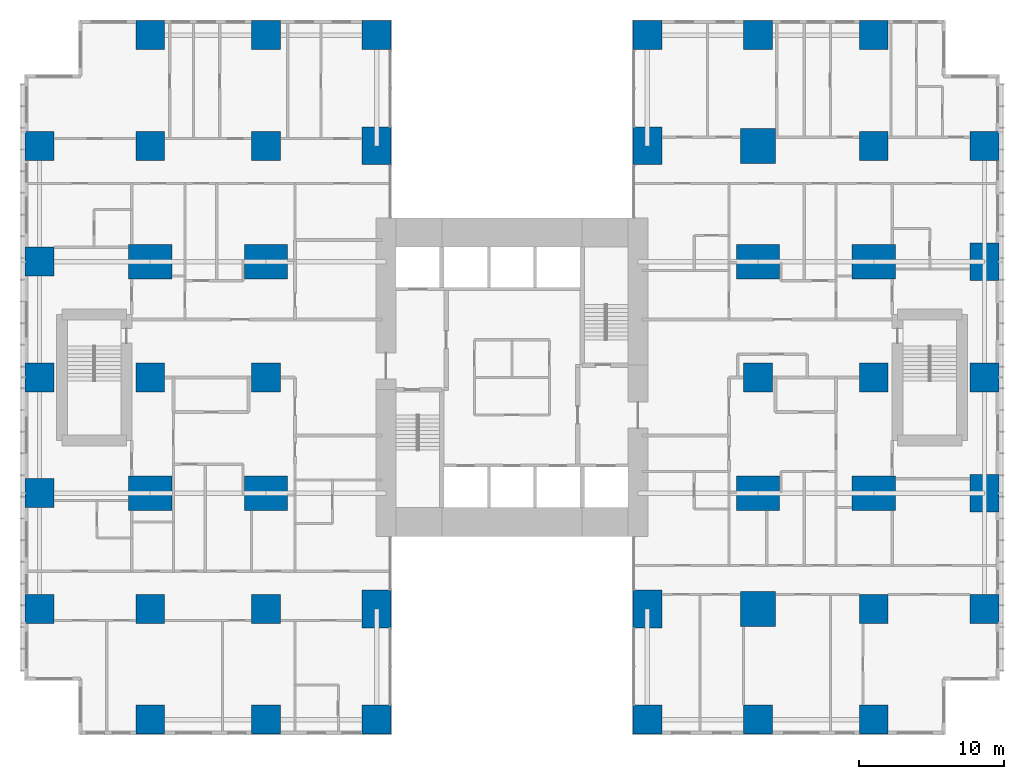
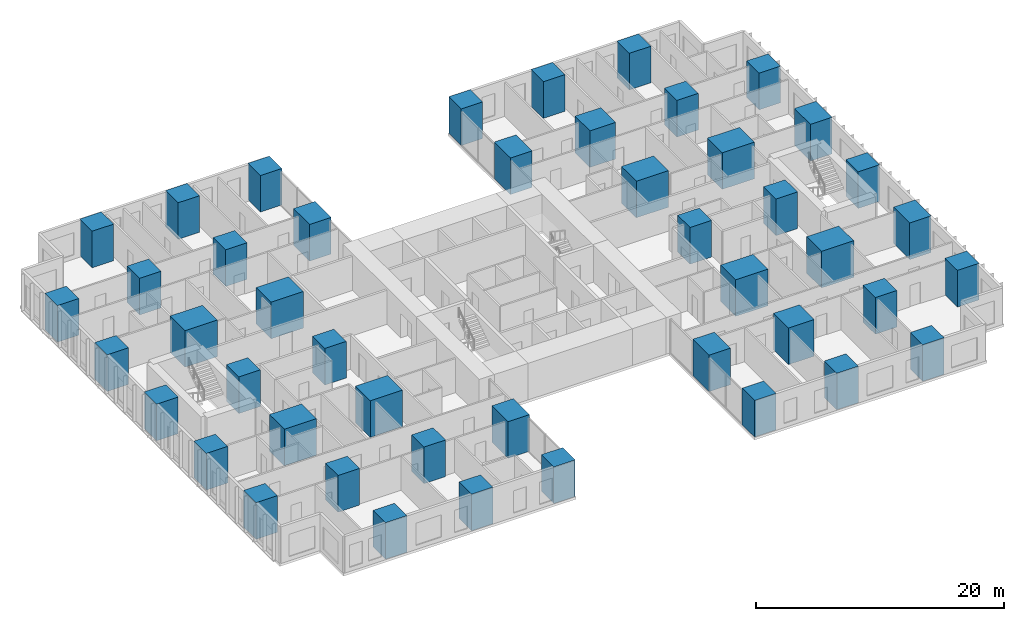
# One storey, part 1 of 20: 46 columns.
"""IFC4 building model written with IfcOpenShell, lengths in metres."""

from ifc_helpers import new_model, si_unit, direction, frame, origin, origin_2d, place, context, subcontext, project, spatial, rectangle, extrude, material, material_profile, profile_set, type_object, element, save


model = new_model("IFC4")

# Units and contexts
model_context = context("Model", 3, precision=1e-05, world=origin(), true_north=direction((0.0, 1.0)))
body_context = subcontext(model_context, "Body", "Model", "MODEL_VIEW")
ifc_project = project(units=[si_unit("LENGTHUNIT", "METRE"), si_unit("AREAUNIT", "SQUARE_METRE"), si_unit("VOLUMEUNIT", "CUBIC_METRE"), si_unit("PLANEANGLEUNIT", "RADIAN"), si_unit("MASSUNIT", "GRAM", prefix="KILO")], contexts=[model_context])

# Site, building, storey
site_placement = place(None, origin())
site = spatial("IfcSite", under=ifc_project, at=site_placement, CompositionType="ELEMENT")
building_placement = place(site_placement, origin())
building = spatial("IfcBuilding", under=site, at=building_placement, Name="Cleftline Residences", CompositionType="ELEMENT")
storey_placement = place(building_placement, frame((0.0, 0.0, 164.60009765625)))
storey = spatial("IfcBuildingStorey", under=building, at=storey_placement, Name="L43", CompositionType="ELEMENT", Elevation=164.60009765625)

# Columns
ifc_material_1 = material(Name="Concrete B70", Category="concrete")
ifc_material_profile_1 = material_profile(ifc_material_1, rectangle(XDim=2.0, YDim=2.0, at=origin_2d()))
ifc_profile_set_1 = profile_set([ifc_material_profile_1], Name="Concrete B70")
column_type_1 = type_object("IfcColumnType", Name="COLUMN RC2000X2000", PredefinedType="COLUMN", material=ifc_profile_set_1)
for number, where, z_axis, x_axis, name in (
    (1, (0.35009765625, 8.0, 0.0), (0.0, 0.0, 1.0), (1.0, 0.0, 0.0), "Column D/3"),
    (2, (0.35009765625, 16.0, 0.0), (0.0, 0.0, 1.0), (1.0, 0.0, 0.0), "Column E/3"),
    (3, (0.35009765625, 24.0, 0.0), (0.0, 0.0, 1.0), (1.0, 0.0, 0.0), "Column F/3"),
    (4, (0.35009765625, 32.0, 0.0), (0.0, 0.0, 1.0), (1.0, 0.0, 0.0), "Column G/3"),
    (5, (0.35009765625, 40.0, 0.0), (0.0, 0.0, 1.0), (1.0, 0.0, 0.0), "Column H/3"),
    (6, (8.0, 0.35009765625, 0.0), (0.0, 0.0, 1.0), (1.0, 0.0, 0.0), "Column C/4"),
    (7, (8.0, 8.0, 0.0), (0.0, 0.0, 1.0), (1.0, 0.0, 0.0), "Column D/4"),
    (8, (8.0, 24.0, 0.0), (0.0, 0.0, 1.0), (1.0, 0.0, 0.0), "Column F/4"),
    (9, (8.0, 40.0, 0.0), (0.0, 0.0, 1.0), (1.0, 0.0, 0.0), "Column H/4"),
    (10, (8.0, 47.64990234375, 0.0), (0.0, 0.0, 1.0), (1.0, 0.0, 0.0), "Column J/4"),
    (11, (16.0, 0.35009765625, 0.0), (0.0, 0.0, 1.0), (1.0, 0.0, 0.0), "Column C/5"),
    (12, (16.0, 8.0, 0.0), (0.0, 0.0, 1.0), (1.0, 0.0, 0.0), "Column D/5"),
    (13, (16.0, 24.0, 0.0), (0.0, 0.0, 1.0), (1.0, 0.0, 0.0), "Column F/5"),
    (14, (16.0, 40.0, 0.0), (0.0, 0.0, 1.0), (1.0, 0.0, 0.0), "Column H/5"),
    (15, (16.0, 47.64990234375, 0.0), (0.0, 0.0, 1.0), (1.0, 0.0, 0.0), "Column J/5"),
    (16, (23.64990234375, 0.35009765625, 0.0), (0.0, 0.0, 1.0), (1.0, 0.0, 0.0), "Column C/6"),
    (17, (23.64990234375, 47.64990234375, 0.0), (0.0, 0.0, 1.0), (1.0, 0.0, 0.0), "Column J/6"),
    (18, (42.35009765625, 0.35009765625, 0.0), (0.0, 0.0, 1.0), (1.0, 0.0, 0.0), "Column C/8"),
    (19, (42.35009765625, 47.64990234375, 0.0), (0.0, 0.0, 1.0), (1.0, 0.0, 0.0), "Column J/8"),
    (20, (50.0, 0.35009765625, 0.0), (0.0, 0.0, 1.0), (1.0, 0.0, 0.0), "Column C/9"),
    (21, (50.0, 24.0, 0.0), (0.0, 0.0, 1.0), (1.0, 0.0, 0.0), "Column F/9"),
    (22, (50.0, 47.64990234375, 0.0), (0.0, 0.0, 1.0), (1.0, 0.0, 0.0), "Column J/9"),
    (23, (58.0, 0.35009765625, 0.0), (0.0, 0.0, 1.0), (1.0, 0.0, 0.0), "Column C/10"),
    (24, (58.0, 8.0, 0.0), (0.0, 0.0, 1.0), (1.0, 0.0, 0.0), "Column D/10"),
    (25, (58.0, 24.0, 0.0), (0.0, 0.0, 1.0), (1.0, 0.0, 0.0), "Column F/10"),
    (26, (58.0, 40.0, 0.0), (0.0, 0.0, 1.0), (1.0, 0.0, 0.0), "Column H/10"),
    (27, (58.0, 47.64990234375, 0.0), (0.0, 0.0, 1.0), (1.0, 0.0, 0.0), "Column J/10"),
    (28, (65.64990234375, 8.0, 0.0), (0.0, 0.0, 1.0), (1.0, 0.0, 0.0), "Column D/11"),
    (29, (65.64990234375, 24.0, 0.0), (0.0, 0.0, 1.0), (1.0, 0.0, 0.0), "Column F/11"),
    (30, (65.64990234375, 40.0, 0.0), (0.0, 0.0, 1.0), (1.0, 0.0, 0.0), "Column H/11"),
):
    element("IfcColumn", number, at=place(storey_placement, frame(where, z_axis=z_axis, x_axis=x_axis)), inside=storey, type_object=column_type_1, Name=name, PredefinedType="COLUMN", context=body_context, shape_type="SweptSolid", body=[
        extrude(rectangle(XDim=2.0, YDim=2.0, at=origin_2d()), origin(), (0.0, 0.0, 1.0), 3.599853515625),
    ])
ifc_material_2 = material(Name="Concrete B70", Category="concrete")
ifc_material_profile_2 = material_profile(ifc_material_2, rectangle(XDim=2.0, YDim=2.60009765625, at=origin_2d()))
ifc_profile_set_2 = profile_set([ifc_material_profile_2], Name="Concrete B70")
column_type_2 = type_object("IfcColumnType", Name="COLUMN RC2000X2600", PredefinedType="COLUMN", material=ifc_profile_set_2)
for number, where, z_axis, x_axis, name in (
    (31, (23.64990234375, 8.0, 0.0), (0.0, 0.0, 1.0), (1.0, 0.0, 0.0), "Column D/6"),
    (32, (23.64990234375, 40.0, 0.0), (0.0, 0.0, 1.0), (1.0, 0.0, 0.0), "Column H/6"),
    (33, (42.35009765625, 8.0, 0.0), (0.0, 0.0, 1.0), (1.0, 0.0, 0.0), "Column D/8"),
    (34, (42.35009765625, 40.0, 0.0), (0.0, 0.0, 1.0), (1.0, 0.0, 0.0), "Column H/8"),
):
    element("IfcColumn", number, at=place(storey_placement, frame(where, z_axis=z_axis, x_axis=x_axis)), inside=storey, type_object=column_type_2, Name=name, PredefinedType="COLUMN", context=body_context, shape_type="SweptSolid", body=[
        extrude(rectangle(XDim=2.0, YDim=2.60009765625, at=origin_2d()), origin(), (0.0, 0.0, 1.0), 3.599853515625),
    ])
ifc_material_3 = material(Name="Concrete B70", Category="concrete")
ifc_material_profile_3 = material_profile(ifc_material_3, rectangle(XDim=2.39990234375, YDim=2.39990234375, at=origin_2d()))
ifc_profile_set_3 = profile_set([ifc_material_profile_3], Name="Concrete B70")
column_type_3 = type_object("IfcColumnType", Name="COLUMN RC2400X2400", PredefinedType="COLUMN", material=ifc_profile_set_3)
for number, where, z_axis, x_axis, name in (
    (35, (50.0, 8.0, 0.0), (0.0, 0.0, 1.0), (1.0, 0.0, 0.0), "Column D/9"),
    (36, (50.0, 40.0, 0.0), (0.0, 0.0, 1.0), (1.0, 0.0, 0.0), "Column H/9"),
):
    element("IfcColumn", number, at=place(storey_placement, frame(where, z_axis=z_axis, x_axis=x_axis)), inside=storey, type_object=column_type_3, Name=name, PredefinedType="COLUMN", context=body_context, shape_type="SweptSolid", body=[
        extrude(rectangle(XDim=2.39990234375, YDim=2.39990234375, at=origin_2d()), origin(), (0.0, 0.0, 1.0), 3.599853515625),
    ])
ifc_material_4 = material(Name="Concrete B70", Category="concrete")
ifc_material_profile_4 = material_profile(ifc_material_4, rectangle(XDim=2.60009765625, YDim=2.0, at=origin_2d()))
ifc_profile_set_4 = profile_set([ifc_material_profile_4], Name="Concrete B70")
column_type_4 = type_object("IfcColumnType", Name="COLUMN RC2600X2000", PredefinedType="COLUMN", material=ifc_profile_set_4)
for number, where, z_axis, x_axis, name in (
    (37, (65.64990234375, 16.0, 0.0), (0.0, 0.0, 1.0), (0.0, 1.0, 0.0), "Column E/11"),
    (38, (65.64990234375, 32.0, 0.0), (0.0, 0.0, 1.0), (0.0, 1.0, 0.0), "Column G/11"),
):
    element("IfcColumn", number, at=place(storey_placement, frame(where, z_axis=z_axis, x_axis=x_axis)), inside=storey, type_object=column_type_4, Name=name, PredefinedType="COLUMN", context=body_context, shape_type="SweptSolid", body=[
        extrude(rectangle(XDim=2.60009765625, YDim=2.0, at=origin_2d()), origin(), (0.0, 0.0, 1.0), 3.599853515625),
    ])
ifc_material_5 = material(Name="Concrete B70", Category="concrete")
ifc_material_profile_5 = material_profile(ifc_material_5, rectangle(XDim=3.0, YDim=2.39990234375, at=origin_2d()))
ifc_profile_set_5 = profile_set([ifc_material_profile_5], Name="Concrete B70")
column_type_5 = type_object("IfcColumnType", Name="COLUMN RC3000X2400", PredefinedType="COLUMN", material=ifc_profile_set_5)
for number, where, z_axis, x_axis, name in (
    (39, (8.0, 16.0, 0.0), (0.0, 0.0, 1.0), (1.0, 0.0, 0.0), "Column E/4"),
    (40, (8.0, 32.0, 0.0), (0.0, 0.0, 1.0), (1.0, 0.0, 0.0), "Column G/4"),
    (41, (16.0, 16.0, 0.0), (0.0, 0.0, 1.0), (1.0, 0.0, 0.0), "Column E/5"),
    (42, (16.0, 32.0, 0.0), (0.0, 0.0, 1.0), (1.0, 0.0, 0.0), "Column G/5"),
    (43, (50.0, 16.0, 0.0), (0.0, 0.0, 1.0), (1.0, 0.0, 0.0), "Column E/9"),
    (44, (50.0, 32.0, 0.0), (0.0, 0.0, 1.0), (1.0, 0.0, 0.0), "Column G/9"),
    (45, (58.0, 16.0, 0.0), (0.0, 0.0, 1.0), (1.0, 0.0, 0.0), "Column E/10"),
    (46, (58.0, 32.0, 0.0), (0.0, 0.0, 1.0), (1.0, 0.0, 0.0), "Column G/10"),
):
    element("IfcColumn", number, at=place(storey_placement, frame(where, z_axis=z_axis, x_axis=x_axis)), inside=storey, type_object=column_type_5, Name=name, PredefinedType="COLUMN", context=body_context, shape_type="SweptSolid", body=[
        extrude(rectangle(XDim=3.0, YDim=2.39990234375, at=origin_2d()), origin(), (0.0, 0.0, 1.0), 3.599853515625),
    ])

save(model, "model.ifc")
